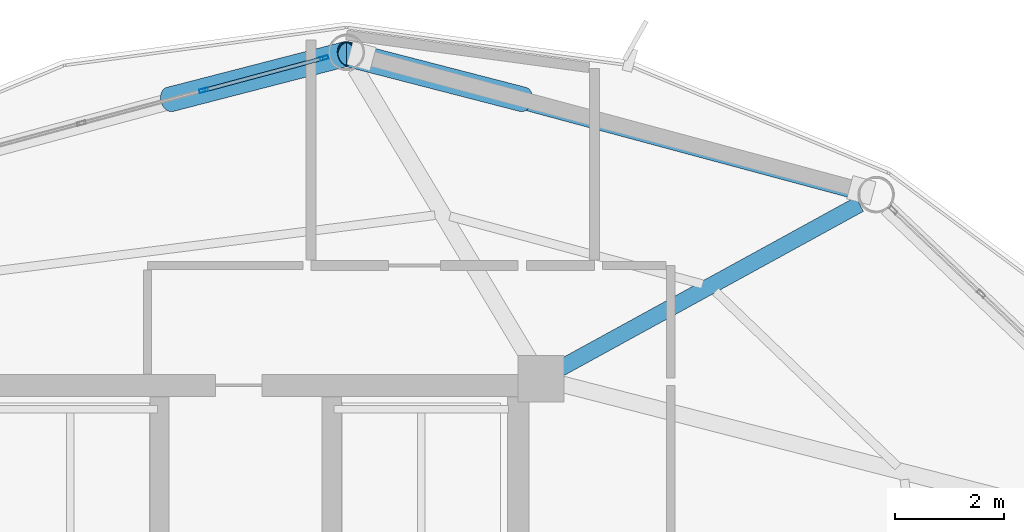
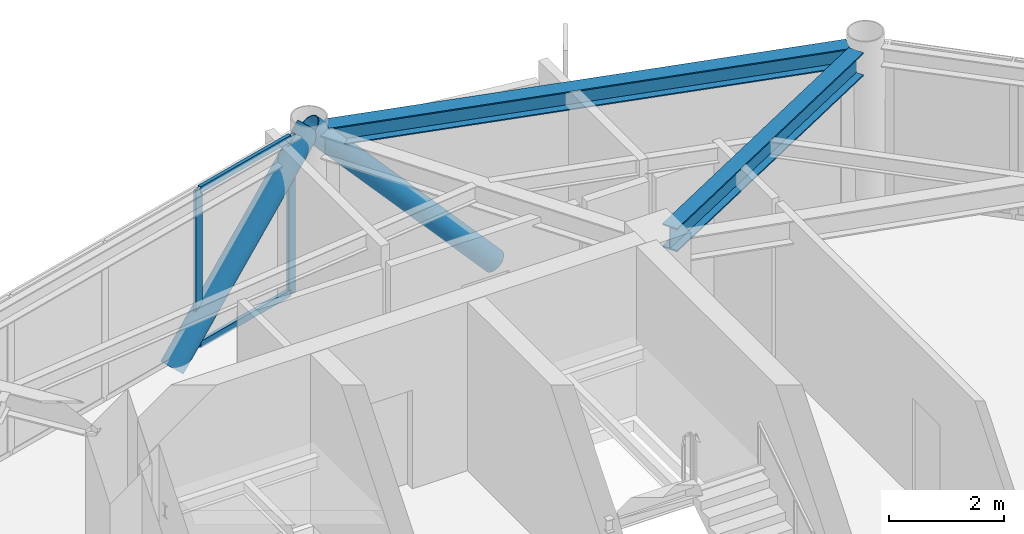
# One storey, part 21 of 29: 6 members, 2 beams, 1 element without a shape of its own.
"""IFC4 building model written with IfcOpenShell, lengths in metres."""

from ifc_helpers import new_model, si_unit, direction, frame, origin, origin_2d, place, context, subcontext, project, spatial, hollow_rectangle, hollow_circle, i_section, extrude, material, layer, layer_set, material_profile, profile_set, type_object, element, aggregate, save


model = new_model("IFC4")

# Units and contexts
model_context = context("Model", 3, precision=1e-05, world=origin(), true_north=direction((0.0, 1.0)))
body_context = subcontext(model_context, "Body", "Model", "MODEL_VIEW")
ifc_project = project(units=[si_unit("LENGTHUNIT", "METRE"), si_unit("AREAUNIT", "SQUARE_METRE"), si_unit("VOLUMEUNIT", "CUBIC_METRE"), si_unit("PLANEANGLEUNIT", "RADIAN"), si_unit("MASSUNIT", "GRAM", prefix="KILO")], contexts=[model_context])

# Site, building, storey
site_placement = place(None, origin())
site = spatial("IfcSite", under=ifc_project, at=site_placement, CompositionType="ELEMENT")
building_placement = place(site_placement, origin())
building = spatial("IfcBuilding", under=site, at=building_placement, Name="Varnakorn Sky Granary", CompositionType="ELEMENT")
storey_placement = place(building_placement, frame((0.0, 0.0, 189.60009765625)))
storey = spatial("IfcBuildingStorey", under=building, at=storey_placement, Name="L47", CompositionType="ELEMENT", Elevation=189.60009765625)

# Beams
ifc_material_1 = material(Name="Steel S355JR", Category="steel")
ifc_material_profile_1 = material_profile(ifc_material_1, i_section(OverallWidth=0.300048828125, OverallDepth=0.5, WebThickness=0.014404296875, FlangeThickness=0.028076171875, at=origin_2d()), Name="HE 500 B")
ifc_profile_set_1 = profile_set([ifc_material_profile_1], Name="Steel S355JR")
beam_type_1 = type_object("IfcBeamType", Name="BM-RAD-Z4", PredefinedType="BEAM", material=ifc_profile_set_1)
beam_1_placement = place(storey_placement, frame((8.775146484375, 12.814697265625, 3.10986328125), z_axis=(0.876827265896, 0.480805517627, 0.0), x_axis=(-0.480805517627, 0.876827265896, 0.0)))
element("IfcBeam", 1, at=beam_1_placement, inside=storey, type_object=beam_type_1, Name="Radial Floor Girder RG03 L47", PredefinedType="BEAM", context=body_context, shape_type="SweptSolid", body=[
    extrude(i_section(OverallWidth=0.300048828125, OverallDepth=0.5, WebThickness=0.014404296875, FlangeThickness=0.028076171875, at=origin_2d()), origin(), (0.0, 0.0, 1.0), 6.25732421875),
])
ifc_material_profile_2 = material_profile(ifc_material_1, i_section(OverallWidth=0.300048828125, OverallDepth=0.39990234375, WebThickness=0.013427734375, FlangeThickness=0.02392578125, at=origin_2d()), Name="HE 400 B")
ifc_profile_set_2 = profile_set([ifc_material_profile_2], Name="Steel S355JR")
beam_type_2 = type_object("IfcBeamType", Name="BM-SPD-Z4", PredefinedType="SPANDREL", material=ifc_profile_set_2)
beam_2_placement = place(storey_placement, frame((14.23388671875, 16.056396484375, 3.159912109375), z_axis=(-0.965659367077, 0.259811444662, 0.0), x_axis=(-0.259811444662, -0.965659367077, 0.0)))
element("IfcBeam", 2, at=beam_2_placement, inside=storey, type_object=beam_type_2, Name="Perimeter Spandrel Ring Beam RB03 L47", PredefinedType="SPANDREL", context=body_context, shape_type="SweptSolid", body=[
    extrude(i_section(OverallWidth=0.300048828125, OverallDepth=0.39990234375, WebThickness=0.013427734375, FlangeThickness=0.02392578125, at=origin_2d()), origin(), (0.0, 0.0, 1.0), 9.402587890625),
])

# Curtain wall, members
ifc_material_2 = material(Name="Anodised Bronze Aluminium Alloy 6063-T6", Category="aluminium")
ifc_layer = layer(ifc_material_2, 0.169921875, Name="Anodised Bronze Aluminium Alloy 6063-T6")
ifc_layer_set = layer_set([ifc_layer], Name="Anodised Bronze Aluminium Alloy 6063-T6")
curtain_wall_type = type_object("IfcCurtainWallType", Name="CW-LAB-1", PredefinedType="USERDEFINED", material=ifc_layer_set)
curtain_wall_placement = place(storey_placement, origin())
curtain_wall = element("IfcCurtainWall", 3, at=curtain_wall_placement, inside=storey, type_object=curtain_wall_type, Name="Unitised Curtain Wall CW5 CW-L47-B04", ObjectType="CURTAIN WALL", PredefinedType="USERDEFINED")
ifc_material_profile_3 = material_profile(ifc_material_2, hollow_rectangle(XDim=0.06494140625, YDim=0.159912109375, WallThickness=0.00341796875, at=origin_2d()), Name="ALU MULL 65x160")
ifc_profile_set_3 = profile_set([ifc_material_profile_3], Name="Anodised Bronze Aluminium Alloy 6063-T6")
member_type_1 = type_object("IfcMemberType", Name="CW-LAB-1-MULL", PredefinedType="MULLION", material=ifc_profile_set_3)
member_1_placement = place(storey_placement, frame((2.231201171875, 17.91162109375, 0.0), z_axis=(0.0, 0.0, 1.0), x_axis=(-0.259358622753, 0.965781085342, 0.0)))
member_1 = element("IfcMember", 4, at=member_1_placement, type_object=member_type_1, Name="CW5 mullion 4", PredefinedType="MULLION", context=body_context, shape_type="SweptSolid", body=[
    extrude(hollow_rectangle(XDim=0.06494140625, YDim=0.159912109375, WallThickness=0.00341796875, at=origin_2d()), origin(), (0.0, 0.0, 1.0), 3.35986328125),
])
member_2_placement = place(storey_placement, frame((4.44189453125, 18.50537109375, 0.0), z_axis=(0.0, 0.0, 1.0), x_axis=(-0.259358622753, 0.965781085342, 0.0)))
member_2 = element("IfcMember", 5, at=member_2_placement, type_object=member_type_1, Name="CW5 mullion 5", PredefinedType="MULLION", context=body_context, shape_type="SweptSolid", body=[
    extrude(hollow_rectangle(XDim=0.06494140625, YDim=0.159912109375, WallThickness=0.00341796875, at=origin_2d()), origin(), (0.0, 0.0, 1.0), 3.35986328125),
])
ifc_material_profile_4 = material_profile(ifc_material_2, hollow_rectangle(XDim=0.070068359375, YDim=0.139892578125, WallThickness=0.00341796875, at=origin_2d()), Name="ALU TRAN 70x140")
ifc_profile_set_4 = profile_set([ifc_material_profile_4], Name="Anodised Bronze Aluminium Alloy 6063-T6")
member_type_2 = type_object("IfcMemberType", Name="CW-LAB-1-TRAN", PredefinedType="USERDEFINED", material=ifc_profile_set_4)
member_3_placement = place(storey_placement, frame((2.262451171875, 17.920166015625, 0.034912109375), z_axis=(0.965807316508, 0.259260925286, 0.0), x_axis=(-0.259260925286, 0.965807316508, 0.0)))
member_3 = element("IfcMember", 6, at=member_3_placement, type_object=member_type_2, Name="CW5 transom 4.1", ObjectType="TRANSOM", PredefinedType="USERDEFINED", context=body_context, shape_type="SweptSolid", body=[
    extrude(hollow_rectangle(XDim=0.070068359375, YDim=0.139892578125, WallThickness=0.00341796875, at=origin_2d()), origin(), (0.0, 0.0, 1.0), 2.224365234375),
])
member_4_placement = place(storey_placement, frame((2.262451171875, 17.920166015625, 3.324951171875), z_axis=(0.965807316508, 0.259260925286, 0.0), x_axis=(-0.259260925286, 0.965807316508, 0.0)))
member_4 = element("IfcMember", 7, at=member_4_placement, type_object=member_type_2, Name="CW5 transom 4.2", ObjectType="TRANSOM", PredefinedType="USERDEFINED", context=body_context, shape_type="SweptSolid", body=[
    extrude(hollow_rectangle(XDim=0.070068359375, YDim=0.139892578125, WallThickness=0.00341796875, at=origin_2d()), origin(), (0.0, 0.0, 1.0), 2.224365234375),
])
aggregate(curtain_wall, [member_1, member_2, member_3, member_4])

# Members
ifc_material_3 = material(Name="Steel S460M", Category="steel")
ifc_material_profile_5 = material_profile(ifc_material_3, hollow_circle(Radius=0.228515625, WallThickness=0.01611328125, at=origin_2d()), Name="CHS 457x16")
ifc_profile_set_5 = profile_set([ifc_material_profile_5], Name="Steel S460M")
member_type_3 = type_object("IfcMemberType", Name="MB-DIAG-T3", PredefinedType="BRACE", material=ifc_profile_set_5)
for number, where, z_axis, x_axis, name in (
    (8, (8.0908203125, 17.74462890625, -0.130126953125), (-0.670195874207, 0.172976575639, 0.721745519194), (-0.249908904793, -0.968269352662, 0.0), "Perimeter CHS Diagrid Brace DG03 L47"),
    (9, (1.609375, 17.74462890625, -0.130126953125), (0.670195874207, 0.172976575639, 0.721745519194), (-0.249908904793, 0.968269352662, 0.0), "Perimeter CHS Diagrid Brace DG04 L47"),
):
    element("IfcMember", number, at=place(storey_placement, frame(where, z_axis=z_axis, x_axis=x_axis)), inside=storey, type_object=member_type_3, Name=name, PredefinedType="BRACE", context=body_context, shape_type="SweptSolid", body=[
        extrude(hollow_circle(Radius=0.228515625, WallThickness=0.01611328125, at=origin_2d()), origin(), (0.0, 0.0, 1.0), 4.83544921875),
    ])

save(model, "model.ifc")
